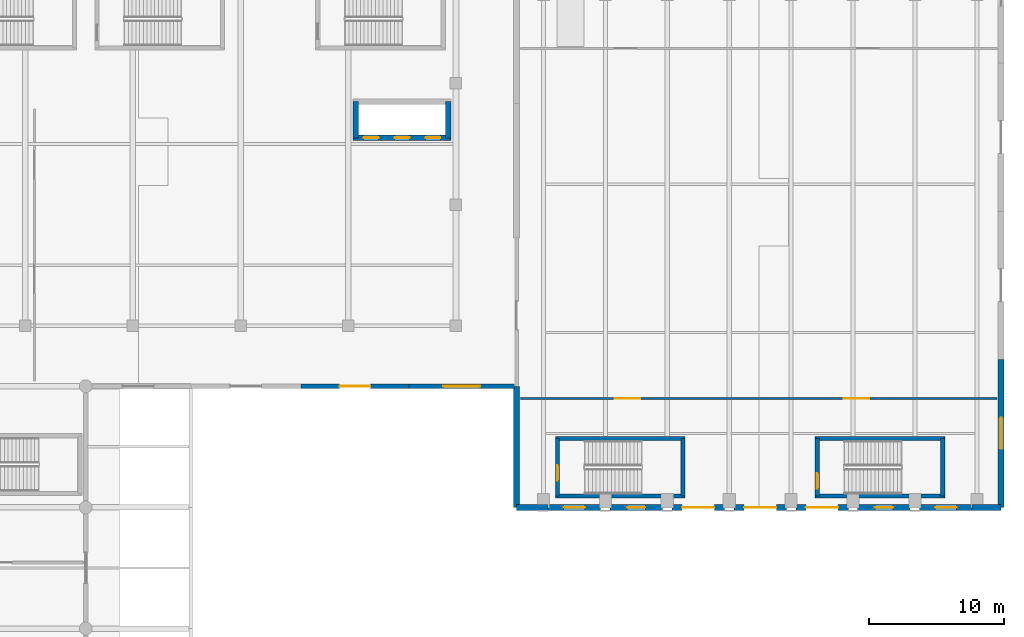
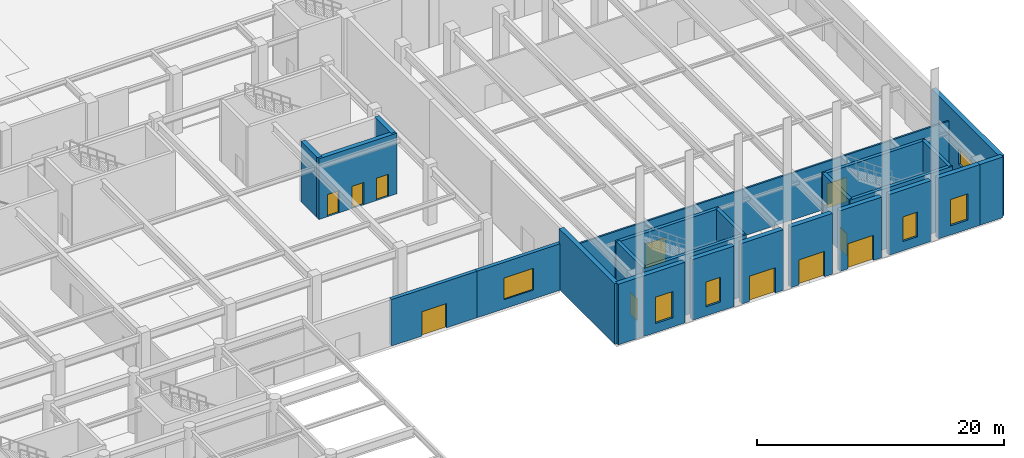
# One storey, part 35 of 49: 25 walls, 11 doors, 6 windows, 17 openings.
"""IFC4 building model written with IfcOpenShell, lengths in metres."""

from ifc_helpers import new_model, si_unit, direction, frame, frame_2d, origin, place, context, subcontext, project, spatial, rectangle, extrude, material, layer, layer_set, type_object, element, fill, save


model = new_model("IFC4")

# Units and contexts
model_context = context("Model", 3, precision=1e-05, world=origin(), true_north=direction((0.0, 1.0)))
body_context = subcontext(model_context, "Body", "Model", "MODEL_VIEW")
ifc_project = project(units=[si_unit("LENGTHUNIT", "METRE"), si_unit("AREAUNIT", "SQUARE_METRE"), si_unit("VOLUMEUNIT", "CUBIC_METRE"), si_unit("PLANEANGLEUNIT", "RADIAN"), si_unit("MASSUNIT", "GRAM", prefix="KILO")], contexts=[model_context])

# Site, building, storey
site_placement = place(None, origin())
site = spatial("IfcSite", under=ifc_project, at=site_placement, CompositionType="ELEMENT")
building_placement = place(site_placement, origin())
building = spatial("IfcBuilding", under=site, at=building_placement, Name="Tlacozan Convention Centre", CompositionType="ELEMENT")
storey_placement = place(building_placement, origin())
storey = spatial("IfcBuildingStorey", under=building, at=storey_placement, Name="L00", CompositionType="ELEMENT", Elevation=0.0)

# Wall, openings, doors
ifc_material_1 = material(Name="Concrete C40/50", Category="concrete")
ifc_layer_1 = layer(ifc_material_1, 0.409912109375)
ifc_layer_set_1 = layer_set([ifc_layer_1], Name="Concrete C40/50")
wall_type_1 = type_object("IfcWallType", Name="Core Shear Wall RC 410", PredefinedType="SHEAR", material=ifc_layer_set_1)
wall_1_placement = place(storey_placement, frame((131.85498046875, 45.4599609375, 0.0), z_axis=(0.0, 0.0, 1.0), x_axis=(1.0, 0.0, 0.0)))
wall_1 = element("IfcWall", 1, at=wall_1_placement, inside=storey, type_object=wall_type_1, Name="L00 Core Shear Wall RC 410 241", PredefinedType="SHEAR", context=body_context, shape_type="SweptSolid", body=[
    extrude(rectangle(XDim=7.2900390625, YDim=0.409912109375, at=frame_2d((3.64501953125, 0.0))), origin(), (0.0, 0.0, 1.0), 6.0),
])
opening_1_placement = place(wall_1_placement, frame((0.794921875, 0.0, 0.0)))
opening_1 = element("IfcOpeningElement", 2, at=opening_1_placement, cuts=wall_1, Name="Opening LD-01", PredefinedType="OPENING", context=body_context, shape_type="SweptSolid", body=[
    extrude(rectangle(XDim=1.10009765625, YDim=2.199951171875, at=frame_2d((0.550048828125, 1.10009765625))), frame((0.0, 0.21484375, 0.0), z_axis=(0.0, -1.0, 0.0), x_axis=(1.0, 0.0, 0.0)), (0.0, 0.0, 1.0), 0.429931640625),
])
opening_2_placement = place(wall_1_placement, frame((3.094970703125, 0.0, 0.0)))
opening_2 = element("IfcOpeningElement", 3, at=opening_2_placement, cuts=wall_1, Name="Opening LD-01", PredefinedType="OPENING", context=body_context, shape_type="SweptSolid", body=[
    extrude(rectangle(XDim=1.10009765625, YDim=2.199951171875, at=frame_2d((0.550048828125, 1.10009765625))), frame((0.0, 0.21484375, 0.0), z_axis=(0.0, -1.0, 0.0), x_axis=(1.0, 0.0, 0.0)), (0.0, 0.0, 1.0), 0.429931640625),
])
opening_3_placement = place(wall_1_placement, frame((5.39501953125, 0.0, 0.0)))
opening_3 = element("IfcOpeningElement", 4, at=opening_3_placement, cuts=wall_1, Name="Opening LD-01", PredefinedType="OPENING", context=body_context, shape_type="SweptSolid", body=[
    extrude(rectangle(XDim=1.10009765625, YDim=2.199951171875, at=frame_2d((0.550048828125, 1.10009765625))), frame((0.0, 0.21484375, 0.0), z_axis=(0.0, -1.0, 0.0), x_axis=(1.0, 0.0, 0.0)), (0.0, 0.0, 1.0), 0.429931640625),
])
ifc_material_2 = material(Name="Brushed Stainless Steel Sliding Landing Door", Category="steel")
door_type_1 = type_object("IfcDoorType", Name="Lift Sliding Landing Door 1100x2200", OperationType="DOUBLE_DOOR_SLIDING", PredefinedType="DOOR", material=ifc_material_2)
door_1_placement = place(opening_1_placement, origin())
door_1 = element("IfcDoor", 5, at=door_1_placement, inside=storey, type_object=door_type_1, Name="L00 Lift PL-05 Landing Door", OperationType="DOUBLE_DOOR_SLIDING", OverallHeight=2.199951171875, OverallWidth=1.10009765625, PredefinedType="DOOR", context=body_context, shape_type="SweptSolid", body=[
    extrude(rectangle(XDim=1.10009765625, YDim=2.199951171875, at=frame_2d((0.550048828125, 1.10009765625))), frame((0.0, 0.02490234375, 0.0), z_axis=(0.0, -1.0, 0.0), x_axis=(1.0, 0.0, 0.0)), (0.0, 0.0, 1.0), 0.050048828125),
])
fill(opening_1, door_1)
door_2_placement = place(opening_2_placement, origin())
door_2 = element("IfcDoor", 6, at=door_2_placement, inside=storey, type_object=door_type_1, Name="L00 Lift PL-06 Landing Door", OperationType="DOUBLE_DOOR_SLIDING", OverallHeight=2.199951171875, OverallWidth=1.10009765625, PredefinedType="DOOR", context=body_context, shape_type="SweptSolid", body=[
    extrude(rectangle(XDim=1.10009765625, YDim=2.199951171875, at=frame_2d((0.550048828125, 1.10009765625))), frame((0.0, 0.02490234375, 0.0), z_axis=(0.0, -1.0, 0.0), x_axis=(1.0, 0.0, 0.0)), (0.0, 0.0, 1.0), 0.050048828125),
])
fill(opening_2, door_2)
door_3_placement = place(opening_3_placement, origin())
door_3 = element("IfcDoor", 7, at=door_3_placement, inside=storey, type_object=door_type_1, Name="L00 Lift PL-07 Landing Door", OperationType="DOUBLE_DOOR_SLIDING", OverallHeight=2.199951171875, OverallWidth=1.10009765625, PredefinedType="DOOR", context=body_context, shape_type="SweptSolid", body=[
    extrude(rectangle(XDim=1.10009765625, YDim=2.199951171875, at=frame_2d((0.550048828125, 1.10009765625))), frame((0.0, 0.02490234375, 0.0), z_axis=(0.0, -1.0, 0.0), x_axis=(1.0, 0.0, 0.0)), (0.0, 0.0, 1.0), 0.050048828125),
])
fill(opening_3, door_3)

# Walls
for number, where, z_axis, x_axis, name in (
    (8, (132.06005859375, 45.4599609375, 0.0), (0.0, 0.0, 1.0), (0.0, 1.0, 0.0), "L00 Core Shear Wall RC 410 243"),
    (9, (138.93994140625, 45.4599609375, 0.0), (0.0, 0.0, 1.0), (0.0, 1.0, 0.0), "L00 Core Shear Wall RC 410 244"),
):
    element("IfcWall", number, at=place(storey_placement, frame(where, z_axis=z_axis, x_axis=x_axis)), inside=storey, type_object=wall_type_1, Name=name, PredefinedType="SHEAR", context=body_context, shape_type="SweptSolid", body=[
        extrude(rectangle(XDim=2.679931640625, YDim=0.409912109375, at=frame_2d((1.33984375, 0.0))), origin(), (0.0, 0.0, 1.0), 6.0),
    ])

# Wall, opening, door
ifc_material_3 = material(Name="Volcanic Cantera Stone Masonry", Category="masonry")
ifc_layer_2 = layer(ifc_material_3, 0.330078125)
ifc_layer_set_2 = layer_set([ifc_layer_2], Name="Volcanic Cantera Stone Masonry")
wall_type_2 = type_object("IfcWallType", Name="Courtyard Cantera Cloister Wall 330", PredefinedType="SOLIDWALL", material=ifc_layer_set_2)
wall_2_placement = place(storey_placement, frame((128.0, 27.0, 0.0), z_axis=(0.0, 0.0, 1.0), x_axis=(1.0, 0.0, 0.0)))
wall_2 = element("IfcWall", 10, at=wall_2_placement, inside=storey, type_object=wall_type_2, Name="L00 Courtyard Cantera Cloister Wall 330 191", PredefinedType="SOLIDWALL", context=body_context, shape_type="SweptSolid", body=[
    extrude(rectangle(XDim=8.0, YDim=0.330078125, at=frame_2d((4.0, 0.0))), origin(), (0.0, 0.0, 1.0), 4.60009765625),
])
opening_4_placement = place(wall_2_placement, frame((2.85009765625, 0.0, 0.0)))
opening_4 = element("IfcOpeningElement", 11, at=opening_4_placement, cuts=wall_2, Name="Opening EX-D1", PredefinedType="OPENING", context=body_context, shape_type="SweptSolid", body=[
    extrude(rectangle(XDim=2.300048828125, YDim=2.39990234375, at=frame_2d((1.14990234375, 1.199951171875))), frame((0.0, 0.175048828125, 0.0), z_axis=(0.0, -1.0, 0.0), x_axis=(1.0, 0.0, 0.0)), (0.0, 0.0, 1.0), 0.35009765625),
])
ifc_material_4 = material(Name="Thermally Broken Anodised Aluminium Door", Category="aluminium")
door_type_2 = type_object("IfcDoorType", Name="Pedestrian Final Exit Double Door 2300x2400", OperationType="DOUBLE_DOOR_SINGLE_SWING", PredefinedType="DOOR", material=ifc_material_4)
door_4_placement = place(opening_4_placement, frame((2.300048828125, 0.0, 0.0), z_axis=(0.0, 0.0, 1.0), x_axis=(-1.0, 0.0, 0.0)))
door_4 = element("IfcDoor", 12, at=door_4_placement, inside=storey, type_object=door_type_2, Name="Final Pedestrian Exit EX-36", OperationType="DOUBLE_DOOR_SINGLE_SWING", OverallHeight=2.39990234375, OverallWidth=2.300048828125, PredefinedType="DOOR", context=body_context, shape_type="SweptSolid", body=[
    extrude(rectangle(XDim=2.300048828125, YDim=2.39990234375, at=frame_2d((1.14990234375, 1.199951171875))), frame((0.0, 0.02490234375, 0.0), z_axis=(0.0, -1.0, 0.0), x_axis=(1.0, 0.0, 0.0)), (0.0, 0.0, 1.0), 0.050048828125),
])
fill(opening_4, door_4)

# Wall, opening, window
wall_3_placement = place(storey_placement, frame((136.0, 27.0, 0.0), z_axis=(0.0, 0.0, 1.0), x_axis=(1.0, 0.0, 0.0)))
wall_3 = element("IfcWall", 13, at=wall_3_placement, inside=storey, type_object=wall_type_2, Name="L00 Courtyard Cantera Cloister Wall 330 193", PredefinedType="SOLIDWALL", context=body_context, shape_type="SweptSolid", body=[
    extrude(rectangle(XDim=7.85009765625, YDim=0.330078125, at=frame_2d((3.925048828125, 0.0))), origin(), (0.0, 0.0, 1.0), 4.60009765625),
])
opening_5_placement = place(wall_3_placement, frame((2.550048828125, 0.0, 0.89990234375)))
opening_5 = element("IfcOpeningElement", 14, at=opening_5_placement, cuts=wall_3, Name="Opening WN-26", PredefinedType="OPENING", context=body_context, shape_type="SweptSolid", body=[
    extrude(rectangle(XDim=2.75, YDim=2.14990234375, at=frame_2d((1.375, 1.074951171875))), frame((0.0, 0.175048828125, 0.0), z_axis=(0.0, -1.0, 0.0), x_axis=(1.0, 0.0, 0.0)), (0.0, 0.0, 1.0), 0.35009765625),
])
ifc_material_5 = material(Name="Solar Control Double Low-E Argon Glazing", Category="glass")
window_type_1 = type_object("IfcWindowType", Name="Delegate Restaurant Window 2750x2150", PartitioningType="SINGLE_PANEL", PredefinedType="WINDOW", material=ifc_material_5)
window_1_placement = place(opening_5_placement, origin())
window_1 = element("IfcWindow", 15, at=window_1_placement, inside=storey, type_object=window_type_1, Name="L00 Delegate Restaurant Window 2750x2150 62", OverallHeight=2.14990234375, OverallWidth=2.75, PartitioningType="SINGLE_PANEL", PredefinedType="WINDOW", context=body_context, shape_type="SweptSolid", body=[
    extrude(rectangle(XDim=2.75, YDim=2.14990234375, at=frame_2d((1.375, 1.074951171875))), frame((0.0, 0.030029296875, 0.0), z_axis=(0.0, -1.0, 0.0), x_axis=(1.0, 0.0, 0.0)), (0.0, 0.0, 1.0), 0.06005859375),
])
fill(opening_5, window_1)

# Wall, openings, doors
ifc_material_6 = material(Name="Acoustic Double-Stud Partition Assembly")
ifc_layer_3 = layer(ifc_material_6, 0.159912109375)
ifc_layer_set_3 = layer_set([ifc_layer_3], Name="Acoustic Double-Stud Partition Assembly")
wall_type_3 = type_object("IfcWallType", Name="Meeting Acoustic Partition 160", PredefinedType="PARTITIONING", material=ifc_layer_set_3)
wall_4_placement = place(storey_placement, frame((144.300048828125, 26.10009765625, 0.0), z_axis=(0.0, 0.0, 1.0), x_axis=(1.0, 0.0, 0.0)))
wall_4 = element("IfcWall", 16, at=wall_4_placement, inside=storey, type_object=wall_type_3, Name="L00 Meeting Acoustic Partition 160 581", PredefinedType="PARTITIONING", context=body_context, shape_type="SweptSolid", body=[
    extrude(rectangle(XDim=35.39990234375, YDim=0.159912109375, at=frame_2d((17.699951171875, 0.0))), origin(), (0.0, 0.0, 1.0), 4.64990234375),
])
opening_6_placement = place(wall_4_placement, frame((7.0, 0.0, 0.0)))
opening_6 = element("IfcOpeningElement", 17, at=opening_6_placement, cuts=wall_4, Name="Opening ID-09", PredefinedType="OPENING", context=body_context, shape_type="SweptSolid", body=[
    extrude(rectangle(XDim=1.89990234375, YDim=2.39990234375, at=frame_2d((0.949951171875, 1.199951171875))), frame((0.0, 0.08984375, 0.0), z_axis=(0.0, -1.0, 0.0), x_axis=(1.0, 0.0, 0.0)), (0.0, 0.0, 1.0), 0.179931640625),
])
opening_7_placement = place(wall_4_placement, frame((24.0, 0.0, 0.0)))
opening_7 = element("IfcOpeningElement", 18, at=opening_7_placement, cuts=wall_4, Name="Opening ID-09", PredefinedType="OPENING", context=body_context, shape_type="SweptSolid", body=[
    extrude(rectangle(XDim=1.89990234375, YDim=2.39990234375, at=frame_2d((0.949951171875, 1.199951171875))), frame((0.0, 0.08984375, 0.0), z_axis=(0.0, -1.0, 0.0), x_axis=(1.0, 0.0, 0.0)), (0.0, 0.0, 1.0), 0.179931640625),
])
ifc_material_7 = material(Name="Acoustic Solid-Core Oak Veneer Door")
door_type_3 = type_object("IfcDoorType", Name="Auditorium Vomitory Double Door 1900x2400", OperationType="DOUBLE_DOOR_SINGLE_SWING", PredefinedType="DOOR", material=ifc_material_7)
door_5_placement = place(opening_6_placement, origin())
door_5 = element("IfcDoor", 19, at=door_5_placement, inside=storey, type_object=door_type_3, Name="L00 Auditorium Vomitory Double Door 1900x2400 170", OperationType="DOUBLE_DOOR_SINGLE_SWING", OverallHeight=2.39990234375, OverallWidth=1.89990234375, PredefinedType="DOOR", context=body_context, shape_type="SweptSolid", body=[
    extrude(rectangle(XDim=1.89990234375, YDim=2.39990234375, at=frame_2d((0.949951171875, 1.199951171875))), frame((0.0, 0.02490234375, 0.0), z_axis=(0.0, -1.0, 0.0), x_axis=(1.0, 0.0, 0.0)), (0.0, 0.0, 1.0), 0.050048828125),
])
fill(opening_6, door_5)
door_6_placement = place(opening_7_placement, origin())
door_6 = element("IfcDoor", 20, at=door_6_placement, inside=storey, type_object=door_type_3, Name="L00 Auditorium Vomitory Double Door 1900x2400 171", OperationType="DOUBLE_DOOR_SINGLE_SWING", OverallHeight=2.39990234375, OverallWidth=1.89990234375, PredefinedType="DOOR", context=body_context, shape_type="SweptSolid", body=[
    extrude(rectangle(XDim=1.89990234375, YDim=2.39990234375, at=frame_2d((0.949951171875, 1.199951171875))), frame((0.0, 0.02490234375, 0.0), z_axis=(0.0, -1.0, 0.0), x_axis=(1.0, 0.0, 0.0)), (0.0, 0.0, 1.0), 0.050048828125),
])
fill(opening_7, door_6)

# Wall, opening, window
ifc_layer_4 = layer(ifc_material_1, 0.429931640625)
ifc_layer_set_4 = layer_set([ifc_layer_4], Name="Concrete C40/50")
wall_type_4 = type_object("IfcWallType", Name="Plenary Acoustic Stone Wall 430", PredefinedType="SOLIDWALL", material=ifc_layer_set_4)
wall_5_placement = place(storey_placement, frame((146.35009765625, 18.0, 0.0), z_axis=(0.0, 0.0, 1.0), x_axis=(1.0, 0.0, 0.0)))
wall_5 = element("IfcWall", 21, at=wall_5_placement, inside=storey, type_object=wall_type_4, Name="L00 Plenary Acoustic Stone Wall 430 151", PredefinedType="SOLIDWALL", context=body_context, shape_type="SweptSolid", body=[
    extrude(rectangle(XDim=3.89990234375, YDim=0.429931640625, at=frame_2d((1.949951171875, 0.0))), origin(), (0.0, 0.0, 1.0), 6.0),
])
opening_8_placement = place(wall_5_placement, frame((1.14990234375, 0.0, 0.89990234375)))
opening_8 = element("IfcOpeningElement", 22, at=opening_8_placement, cuts=wall_5, Name="Opening WN-22", PredefinedType="OPENING", context=body_context, shape_type="SweptSolid", body=[
    extrude(rectangle(XDim=1.60009765625, YDim=2.60009765625, at=frame_2d((0.800048828125, 1.300048828125))), frame((0.0, 0.224853515625, 0.0), z_axis=(0.0, -1.0, 0.0), x_axis=(1.0, 0.0, 0.0)), (0.0, 0.0, 1.0), 0.449951171875),
])
window_type_2 = type_object("IfcWindowType", Name="Plenary Foyer Tall Window 1600x2600", PartitioningType="SINGLE_PANEL", PredefinedType="WINDOW", material=ifc_material_5)
window_2_placement = place(opening_8_placement, origin())
window_2 = element("IfcWindow", 23, at=window_2_placement, inside=storey, type_object=window_type_2, Name="L00 Plenary Foyer Tall Window 1600x2600 54", OverallHeight=2.60009765625, OverallWidth=1.60009765625, PartitioningType="SINGLE_PANEL", PredefinedType="WINDOW", context=body_context, shape_type="SweptSolid", body=[
    extrude(rectangle(XDim=1.60009765625, YDim=2.60009765625, at=frame_2d((0.800048828125, 1.300048828125))), frame((0.0, 0.030029296875, 0.0), z_axis=(0.0, -1.0, 0.0), x_axis=(1.0, 0.0, 0.0)), (0.0, 0.0, 1.0), 0.06005859375),
])
fill(opening_8, window_2)

wall_6_placement = place(storey_placement, frame((150.949951171875, 18.0, 0.0), z_axis=(0.0, 0.0, 1.0), x_axis=(1.0, 0.0, 0.0)))
wall_6 = element("IfcWall", 24, at=wall_6_placement, inside=storey, type_object=wall_type_4, Name="L00 Plenary Acoustic Stone Wall 430 152", PredefinedType="SOLIDWALL", context=body_context, shape_type="SweptSolid", body=[
    extrude(rectangle(XDim=3.900146484375, YDim=0.429931640625, at=frame_2d((1.9501953125, 0.0))), origin(), (0.0, 0.0, 1.0), 6.0),
])
opening_9_placement = place(wall_6_placement, frame((1.27490234375, 0.0, 0.89990234375)))
opening_9 = element("IfcOpeningElement", 25, at=opening_9_placement, cuts=wall_6, Name="Opening WN-23", PredefinedType="OPENING", context=body_context, shape_type="SweptSolid", body=[
    extrude(rectangle(XDim=1.35009765625, YDim=2.449951171875, at=frame_2d((0.675048828125, 1.22509765625))), frame((0.0, 0.224853515625, 0.0), z_axis=(0.0, -1.0, 0.0), x_axis=(1.0, 0.0, 0.0)), (0.0, 0.0, 1.0), 0.449951171875),
])
window_type_3 = type_object("IfcWindowType", Name="Plenary Stone Pier Window 1350x2450", PartitioningType="SINGLE_PANEL", PredefinedType="WINDOW", material=ifc_material_5)
window_3_placement = place(opening_9_placement, origin())
window_3 = element("IfcWindow", 26, at=window_3_placement, inside=storey, type_object=window_type_3, Name="L00 Plenary Stone Pier Window 1350x2450 55", OverallHeight=2.449951171875, OverallWidth=1.35009765625, PartitioningType="SINGLE_PANEL", PredefinedType="WINDOW", context=body_context, shape_type="SweptSolid", body=[
    extrude(rectangle(XDim=1.35009765625, YDim=2.449951171875, at=frame_2d((0.675048828125, 1.22509765625))), frame((0.0, 0.030029296875, 0.0), z_axis=(0.0, -1.0, 0.0), x_axis=(1.0, 0.0, 0.0)), (0.0, 0.0, 1.0), 0.06005859375),
])
fill(opening_9, window_3)

# Wall, opening, door
wall_7_placement = place(storey_placement, frame((155.550048828125, 18.0, 0.0), z_axis=(0.0, 0.0, 1.0), x_axis=(1.0, 0.0, 0.0)))
wall_7 = element("IfcWall", 27, at=wall_7_placement, inside=storey, type_object=wall_type_4, Name="L00 Plenary Acoustic Stone Wall 430 153", PredefinedType="SOLIDWALL", context=body_context, shape_type="SweptSolid", body=[
    extrude(rectangle(XDim=3.89990234375, YDim=0.429931640625, at=frame_2d((1.949951171875, 0.0))), origin(), (0.0, 0.0, 1.0), 6.0),
])
opening_10_placement = place(wall_7_placement, frame((0.75, 0.0, 0.0)))
opening_10 = element("IfcOpeningElement", 28, at=opening_10_placement, cuts=wall_7, Name="Opening EX-D3", PredefinedType="OPENING", context=body_context, shape_type="SweptSolid", body=[
    extrude(rectangle(XDim=2.39990234375, YDim=2.5, at=frame_2d((1.199951171875, 1.25))), frame((0.0, 0.224853515625, 0.0), z_axis=(0.0, -1.0, 0.0), x_axis=(1.0, 0.0, 0.0)), (0.0, 0.0, 1.0), 0.449951171875),
])
door_type_4 = type_object("IfcDoorType", Name="Plenary Foyer Exit Double Door 2400x2500", OperationType="DOUBLE_DOOR_SINGLE_SWING", PredefinedType="DOOR", material=ifc_material_4)
door_7_placement = place(opening_10_placement, frame((2.39990234375, 0.0, 0.0), z_axis=(0.0, 0.0, 1.0), x_axis=(-1.0, 0.0, 0.0)))
door_7 = element("IfcDoor", 29, at=door_7_placement, inside=storey, type_object=door_type_4, Name="Final Pedestrian Exit EX-27", OperationType="DOUBLE_DOOR_SINGLE_SWING", OverallHeight=2.5, OverallWidth=2.39990234375, PredefinedType="DOOR", context=body_context, shape_type="SweptSolid", body=[
    extrude(rectangle(XDim=2.39990234375, YDim=2.5, at=frame_2d((1.199951171875, 1.25))), frame((0.0, 0.02490234375, 0.0), z_axis=(0.0, -1.0, 0.0), x_axis=(1.0, 0.0, 0.0)), (0.0, 0.0, 1.0), 0.050048828125),
])
fill(opening_10, door_7)

wall_8_placement = place(storey_placement, frame((160.14990234375, 18.0, 0.0), z_axis=(0.0, 0.0, 1.0), x_axis=(1.0, 0.0, 0.0)))
wall_8 = element("IfcWall", 30, at=wall_8_placement, inside=storey, type_object=wall_type_4, Name="L00 Plenary Acoustic Stone Wall 430 154", PredefinedType="SOLIDWALL", context=body_context, shape_type="SweptSolid", body=[
    extrude(rectangle(XDim=3.900146484375, YDim=0.429931640625, at=frame_2d((1.9501953125, 0.0))), origin(), (0.0, 0.0, 1.0), 6.0),
])
opening_11_placement = place(wall_8_placement, frame((0.75, 0.0, 0.0)))
opening_11 = element("IfcOpeningElement", 31, at=opening_11_placement, cuts=wall_8, Name="Opening EX-D3", PredefinedType="OPENING", context=body_context, shape_type="SweptSolid", body=[
    extrude(rectangle(XDim=2.39990234375, YDim=2.5, at=frame_2d((1.199951171875, 1.25))), frame((0.0, 0.224853515625, 0.0), z_axis=(0.0, -1.0, 0.0), x_axis=(1.0, 0.0, 0.0)), (0.0, 0.0, 1.0), 0.449951171875),
])
door_8_placement = place(opening_11_placement, frame((2.39990234375, 0.0, 0.0), z_axis=(0.0, 0.0, 1.0), x_axis=(-1.0, 0.0, 0.0)))
door_8 = element("IfcDoor", 32, at=door_8_placement, inside=storey, type_object=door_type_4, Name="Final Pedestrian Exit EX-28", OperationType="DOUBLE_DOOR_SINGLE_SWING", OverallHeight=2.5, OverallWidth=2.39990234375, PredefinedType="DOOR", context=body_context, shape_type="SweptSolid", body=[
    extrude(rectangle(XDim=2.39990234375, YDim=2.5, at=frame_2d((1.199951171875, 1.25))), frame((0.0, 0.02490234375, 0.0), z_axis=(0.0, -1.0, 0.0), x_axis=(1.0, 0.0, 0.0)), (0.0, 0.0, 1.0), 0.050048828125),
])
fill(opening_11, door_8)

wall_9_placement = place(storey_placement, frame((164.75, 18.0, 0.0), z_axis=(0.0, 0.0, 1.0), x_axis=(1.0, 0.0, 0.0)))
wall_9 = element("IfcWall", 33, at=wall_9_placement, inside=storey, type_object=wall_type_4, Name="L00 Plenary Acoustic Stone Wall 430 155", PredefinedType="SOLIDWALL", context=body_context, shape_type="SweptSolid", body=[
    extrude(rectangle(XDim=3.89990234375, YDim=0.429931640625, at=frame_2d((1.949951171875, 0.0))), origin(), (0.0, 0.0, 1.0), 6.0),
])
opening_12_placement = place(wall_9_placement, frame((0.75, 0.0, 0.0)))
opening_12 = element("IfcOpeningElement", 34, at=opening_12_placement, cuts=wall_9, Name="Opening EX-D3", PredefinedType="OPENING", context=body_context, shape_type="SweptSolid", body=[
    extrude(rectangle(XDim=2.39990234375, YDim=2.5, at=frame_2d((1.199951171875, 1.25))), frame((0.0, 0.224853515625, 0.0), z_axis=(0.0, -1.0, 0.0), x_axis=(1.0, 0.0, 0.0)), (0.0, 0.0, 1.0), 0.449951171875),
])
door_9_placement = place(opening_12_placement, frame((2.39990234375, 0.0, 0.0), z_axis=(0.0, 0.0, 1.0), x_axis=(-1.0, 0.0, 0.0)))
door_9 = element("IfcDoor", 35, at=door_9_placement, inside=storey, type_object=door_type_4, Name="Final Pedestrian Exit EX-29", OperationType="DOUBLE_DOOR_SINGLE_SWING", OverallHeight=2.5, OverallWidth=2.39990234375, PredefinedType="DOOR", context=body_context, shape_type="SweptSolid", body=[
    extrude(rectangle(XDim=2.39990234375, YDim=2.5, at=frame_2d((1.199951171875, 1.25))), frame((0.0, 0.02490234375, 0.0), z_axis=(0.0, -1.0, 0.0), x_axis=(1.0, 0.0, 0.0)), (0.0, 0.0, 1.0), 0.050048828125),
])
fill(opening_12, door_9)

# Wall, opening, window
wall_10_placement = place(storey_placement, frame((169.35009765625, 18.0, 0.0), z_axis=(0.0, 0.0, 1.0), x_axis=(1.0, 0.0, 0.0)))
wall_10 = element("IfcWall", 36, at=wall_10_placement, inside=storey, type_object=wall_type_4, Name="L00 Plenary Acoustic Stone Wall 430 156", PredefinedType="SOLIDWALL", context=body_context, shape_type="SweptSolid", body=[
    extrude(rectangle(XDim=3.89990234375, YDim=0.429931640625, at=frame_2d((1.949951171875, 0.0))), origin(), (0.0, 0.0, 1.0), 6.0),
])
opening_13_placement = place(wall_10_placement, frame((1.27490234375, 0.0, 0.89990234375)))
opening_13 = element("IfcOpeningElement", 37, at=opening_13_placement, cuts=wall_10, Name="Opening WN-23", PredefinedType="OPENING", context=body_context, shape_type="SweptSolid", body=[
    extrude(rectangle(XDim=1.35009765625, YDim=2.449951171875, at=frame_2d((0.675048828125, 1.22509765625))), frame((0.0, 0.224853515625, 0.0), z_axis=(0.0, -1.0, 0.0), x_axis=(1.0, 0.0, 0.0)), (0.0, 0.0, 1.0), 0.449951171875),
])
window_4_placement = place(opening_13_placement, origin())
window_4 = element("IfcWindow", 38, at=window_4_placement, inside=storey, type_object=window_type_3, Name="L00 Plenary Stone Pier Window 1350x2450 56", OverallHeight=2.449951171875, OverallWidth=1.35009765625, PartitioningType="SINGLE_PANEL", PredefinedType="WINDOW", context=body_context, shape_type="SweptSolid", body=[
    extrude(rectangle(XDim=1.35009765625, YDim=2.449951171875, at=frame_2d((0.675048828125, 1.22509765625))), frame((0.0, 0.030029296875, 0.0), z_axis=(0.0, -1.0, 0.0), x_axis=(1.0, 0.0, 0.0)), (0.0, 0.0, 1.0), 0.06005859375),
])
fill(opening_13, window_4)

wall_11_placement = place(storey_placement, frame((173.949951171875, 18.0, 0.0), z_axis=(0.0, 0.0, 1.0), x_axis=(1.0, 0.0, 0.0)))
wall_11 = element("IfcWall", 39, at=wall_11_placement, inside=storey, type_object=wall_type_4, Name="L00 Plenary Acoustic Stone Wall 430 157", PredefinedType="SOLIDWALL", context=body_context, shape_type="SweptSolid", body=[
    extrude(rectangle(XDim=3.900146484375, YDim=0.429931640625, at=frame_2d((1.9501953125, 0.0))), origin(), (0.0, 0.0, 1.0), 6.0),
])
opening_14_placement = place(wall_11_placement, frame((1.14990234375, 0.0, 0.89990234375)))
opening_14 = element("IfcOpeningElement", 40, at=opening_14_placement, cuts=wall_11, Name="Opening WN-22", PredefinedType="OPENING", context=body_context, shape_type="SweptSolid", body=[
    extrude(rectangle(XDim=1.60009765625, YDim=2.60009765625, at=frame_2d((0.800048828125, 1.300048828125))), frame((0.0, 0.224853515625, 0.0), z_axis=(0.0, -1.0, 0.0), x_axis=(1.0, 0.0, 0.0)), (0.0, 0.0, 1.0), 0.449951171875),
])
window_5_placement = place(opening_14_placement, origin())
window_5 = element("IfcWindow", 41, at=window_5_placement, inside=storey, type_object=window_type_2, Name="L00 Plenary Foyer Tall Window 1600x2600 57", OverallHeight=2.60009765625, OverallWidth=1.60009765625, PartitioningType="SINGLE_PANEL", PredefinedType="WINDOW", context=body_context, shape_type="SweptSolid", body=[
    extrude(rectangle(XDim=1.60009765625, YDim=2.60009765625, at=frame_2d((0.800048828125, 1.300048828125))), frame((0.0, 0.030029296875, 0.0), z_axis=(0.0, -1.0, 0.0), x_axis=(1.0, 0.0, 0.0)), (0.0, 0.0, 1.0), 0.06005859375),
])
fill(opening_14, window_5)

wall_12_placement = place(storey_placement, frame((180.0, 18.0, 0.0), z_axis=(0.0, 0.0, 1.0), x_axis=(0.0, 1.0, 0.0)))
wall_12 = element("IfcWall", 42, at=wall_12_placement, inside=storey, type_object=wall_type_4, Name="L00 Plenary Acoustic Stone Wall 430 158", PredefinedType="SOLIDWALL", context=body_context, shape_type="SweptSolid", body=[
    extrude(rectangle(XDim=11.0, YDim=0.429931640625, at=frame_2d((5.5, 0.0))), origin(), (0.0, 0.0, 1.0), 6.0),
])
opening_15_placement = place(wall_12_placement, frame((4.35009765625, 0.0, 1.199951171875)))
opening_15 = element("IfcOpeningElement", 43, at=opening_15_placement, cuts=wall_12, Name="Opening WN-24", PredefinedType="OPENING", context=body_context, shape_type="SweptSolid", body=[
    extrude(rectangle(XDim=2.300048828125, YDim=1.550048828125, at=frame_2d((1.14990234375, 0.77490234375))), frame((0.0, 0.224853515625, 0.0), z_axis=(0.0, -1.0, 0.0), x_axis=(1.0, 0.0, 0.0)), (0.0, 0.0, 1.0), 0.449951171875),
])
window_type_4 = type_object("IfcWindowType", Name="Plenary East Acoustic Window 2300x1550", PartitioningType="SINGLE_PANEL", PredefinedType="WINDOW", material=ifc_material_5)
window_6_placement = place(opening_15_placement, origin())
window_6 = element("IfcWindow", 44, at=window_6_placement, inside=storey, type_object=window_type_4, Name="L00 Plenary East Acoustic Window 2300x1550 58", OverallHeight=1.550048828125, OverallWidth=2.300048828125, PartitioningType="SINGLE_PANEL", PredefinedType="WINDOW", context=body_context, shape_type="SweptSolid", body=[
    extrude(rectangle(XDim=2.300048828125, YDim=1.550048828125, at=frame_2d((1.14990234375, 0.77490234375))), frame((0.0, 0.030029296875, 0.0), z_axis=(0.0, -1.0, 0.0), x_axis=(1.0, 0.0, 0.0)), (0.0, 0.0, 1.0), 0.06005859375),
])
fill(opening_15, window_6)

# Walls
wall_13_placement = place(storey_placement, frame((144.0, 18.0, 0.0), z_axis=(0.0, 0.0, 1.0), x_axis=(1.0, 0.0, 0.0)))
element("IfcWall", 45, at=wall_13_placement, inside=storey, type_object=wall_type_4, Name="L00 Plenary Acoustic Stone Wall 430 172", PredefinedType="SOLIDWALL", context=body_context, shape_type="SweptSolid", body=[
    extrude(rectangle(XDim=2.35009765625, YDim=0.429931640625, at=frame_2d((1.175048828125, 0.0))), origin(), (0.0, 0.0, 1.0), 6.0),
])
wall_14_placement = place(storey_placement, frame((177.85009765625, 18.0, 0.0), z_axis=(0.0, 0.0, 1.0), x_axis=(1.0, 0.0, 0.0)))
element("IfcWall", 46, at=wall_14_placement, inside=storey, type_object=wall_type_4, Name="L00 Plenary Acoustic Stone Wall 430 173", PredefinedType="SOLIDWALL", context=body_context, shape_type="SweptSolid", body=[
    extrude(rectangle(XDim=2.14990234375, YDim=0.429931640625, at=frame_2d((1.074951171875, 0.0))), origin(), (0.0, 0.0, 1.0), 6.0),
])
wall_15_placement = place(storey_placement, frame((144.0, 18.0, 0.0), z_axis=(0.0, 0.0, 1.0), x_axis=(0.0, 1.0, 0.0)))
element("IfcWall", 47, at=wall_15_placement, inside=storey, type_object=wall_type_4, Name="L00 Plenary Acoustic Stone Wall 430 174", PredefinedType="SOLIDWALL", context=body_context, shape_type="SweptSolid", body=[
    extrude(rectangle(XDim=9.0, YDim=0.429931640625, at=frame_2d((4.5, 0.0))), origin(), (0.0, 0.0, 1.0), 6.0),
])
ifc_layer_5 = layer(ifc_material_1, 0.31005859375)
ifc_layer_set_5 = layer_set([ifc_layer_5], Name="Concrete C40/50")
wall_type_5 = type_object("IfcWallType", Name="Stair Shaft Shear Wall RC 310", PredefinedType="SHEAR", material=ifc_layer_set_5)
for number, where, z_axis, x_axis, name in (
    (48, (166.18505859375, 18.840087890625, 0.0), (0.0, 0.0, 1.0), (1.0, 0.0, 0.0), "L00 Stair Shaft Shear Wall RC 310 441"),
    (49, (166.18505859375, 23.1201171875, 0.0), (0.0, 0.0, 1.0), (1.0, 0.0, 0.0), "L00 Stair Shaft Shear Wall RC 310 442"),
):
    element("IfcWall", number, at=place(storey_placement, frame(where, z_axis=z_axis, x_axis=x_axis)), inside=storey, type_object=wall_type_5, Name=name, PredefinedType="SHEAR", context=body_context, shape_type="SweptSolid", body=[
        extrude(rectangle(XDim=9.6298828125, YDim=0.31005859375, at=frame_2d((4.81494140625, 0.0))), origin(), (0.0, 0.0, 1.0), 6.0),
    ])

# Wall, opening, door
wall_16_placement = place(storey_placement, frame((166.340087890625, 18.840087890625, 0.0), z_axis=(0.0, 0.0, 1.0), x_axis=(0.0, 1.0, 0.0)))
wall_16 = element("IfcWall", 50, at=wall_16_placement, inside=storey, type_object=wall_type_5, Name="L00 Stair Shaft Shear Wall RC 310 443", PredefinedType="SHEAR", context=body_context, shape_type="SweptSolid", body=[
    extrude(rectangle(XDim=4.280029296875, YDim=0.31005859375, at=frame_2d((2.14013671875, 0.0))), origin(), (0.0, 0.0, 1.0), 6.0),
])
opening_16_placement = place(wall_16_placement, frame((0.550048828125, 0.0, 0.0)))
opening_16 = element("IfcOpeningElement", 51, at=opening_16_placement, cuts=wall_16, Name="Opening FD-02", PredefinedType="OPENING", context=body_context, shape_type="SweptSolid", body=[
    extrude(rectangle(XDim=1.14990234375, YDim=2.199951171875, at=frame_2d((0.574951171875, 1.10009765625))), frame((0.0, 0.1650390625, 0.0), z_axis=(0.0, -1.0, 0.0), x_axis=(1.0, 0.0, 0.0)), (0.0, 0.0, 1.0), 0.330078125),
])
ifc_material_8 = material(Name="Fire-Rated Insulated Steel Door Leaf", Category="steel")
door_type_5 = type_object("IfcDoorType", Name="Fire Door Stair 1150x2200 FD90", OperationType="NOTDEFINED", PredefinedType="DOOR", material=ifc_material_8)
door_10_placement = place(opening_16_placement, origin())
door_10 = element("IfcDoor", 52, at=door_10_placement, inside=storey, type_object=door_type_5, Name="L00 Stair ST-07 Access Door", OperationType="SINGLE_SWING_LEFT", OverallHeight=2.199951171875, OverallWidth=1.14990234375, PredefinedType="DOOR", context=body_context, shape_type="SweptSolid", body=[
    extrude(rectangle(XDim=1.14990234375, YDim=2.199951171875, at=frame_2d((0.574951171875, 1.10009765625))), frame((0.0, 0.02490234375, 0.0), z_axis=(0.0, -1.0, 0.0), x_axis=(1.0, 0.0, 0.0)), (0.0, 0.0, 1.0), 0.050048828125),
])
fill(opening_16, door_10)

# Walls
wall_17_placement = place(storey_placement, frame((175.659912109375, 18.840087890625, 0.0), z_axis=(0.0, 0.0, 1.0), x_axis=(0.0, 1.0, 0.0)))
element("IfcWall", 53, at=wall_17_placement, inside=storey, type_object=wall_type_5, Name="L00 Stair Shaft Shear Wall RC 310 444", PredefinedType="SHEAR", context=body_context, shape_type="SweptSolid", body=[
    extrude(rectangle(XDim=4.280029296875, YDim=0.31005859375, at=frame_2d((2.14013671875, 0.0))), origin(), (0.0, 0.0, 1.0), 6.0),
])
for number, where, z_axis, x_axis, name in (
    (54, (146.885009765625, 18.840087890625, 0.0), (0.0, 0.0, 1.0), (1.0, 0.0, 0.0), "L00 Stair Shaft Shear Wall RC 310 457"),
    (55, (146.885009765625, 23.1201171875, 0.0), (0.0, 0.0, 1.0), (1.0, 0.0, 0.0), "L00 Stair Shaft Shear Wall RC 310 458"),
):
    element("IfcWall", number, at=place(storey_placement, frame(where, z_axis=z_axis, x_axis=x_axis)), inside=storey, type_object=wall_type_5, Name=name, PredefinedType="SHEAR", context=body_context, shape_type="SweptSolid", body=[
        extrude(rectangle(XDim=9.6298828125, YDim=0.31005859375, at=frame_2d((4.81494140625, 0.0))), origin(), (0.0, 0.0, 1.0), 6.0),
    ])

# Wall, opening, door
wall_18_placement = place(storey_placement, frame((147.0400390625, 18.840087890625, 0.0), z_axis=(0.0, 0.0, 1.0), x_axis=(0.0, 1.0, 0.0)))
wall_18 = element("IfcWall", 56, at=wall_18_placement, inside=storey, type_object=wall_type_5, Name="L00 Stair Shaft Shear Wall RC 310 459", PredefinedType="SHEAR", context=body_context, shape_type="SweptSolid", body=[
    extrude(rectangle(XDim=4.280029296875, YDim=0.31005859375, at=frame_2d((2.14013671875, 0.0))), origin(), (0.0, 0.0, 1.0), 6.0),
])
opening_17_placement = place(wall_18_placement, frame((1.14990234375, 0.0, 0.0)))
opening_17 = element("IfcOpeningElement", 57, at=opening_17_placement, cuts=wall_18, Name="Opening FD-02", PredefinedType="OPENING", context=body_context, shape_type="SweptSolid", body=[
    extrude(rectangle(XDim=1.14990234375, YDim=2.199951171875, at=frame_2d((0.574951171875, 1.10009765625))), frame((0.0, 0.1650390625, 0.0), z_axis=(0.0, -1.0, 0.0), x_axis=(1.0, 0.0, 0.0)), (0.0, 0.0, 1.0), 0.330078125),
])
door_11_placement = place(opening_17_placement, origin())
door_11 = element("IfcDoor", 58, at=door_11_placement, inside=storey, type_object=door_type_5, Name="L00 Stair ST-08 Access Door", OperationType="SINGLE_SWING_LEFT", OverallHeight=2.199951171875, OverallWidth=1.14990234375, PredefinedType="DOOR", context=body_context, shape_type="SweptSolid", body=[
    extrude(rectangle(XDim=1.14990234375, YDim=2.199951171875, at=frame_2d((0.574951171875, 1.10009765625))), frame((0.0, 0.02490234375, 0.0), z_axis=(0.0, -1.0, 0.0), x_axis=(1.0, 0.0, 0.0)), (0.0, 0.0, 1.0), 0.050048828125),
])
fill(opening_17, door_11)

# Wall
wall_19_placement = place(storey_placement, frame((156.360107421875, 18.840087890625, 0.0), z_axis=(0.0, 0.0, 1.0), x_axis=(0.0, 1.0, 0.0)))
element("IfcWall", 59, at=wall_19_placement, inside=storey, type_object=wall_type_5, Name="L00 Stair Shaft Shear Wall RC 310 460", PredefinedType="SHEAR", context=body_context, shape_type="SweptSolid", body=[
    extrude(rectangle(XDim=4.280029296875, YDim=0.31005859375, at=frame_2d((2.14013671875, 0.0))), origin(), (0.0, 0.0, 1.0), 6.0),
])

save(model, "model.ifc")
